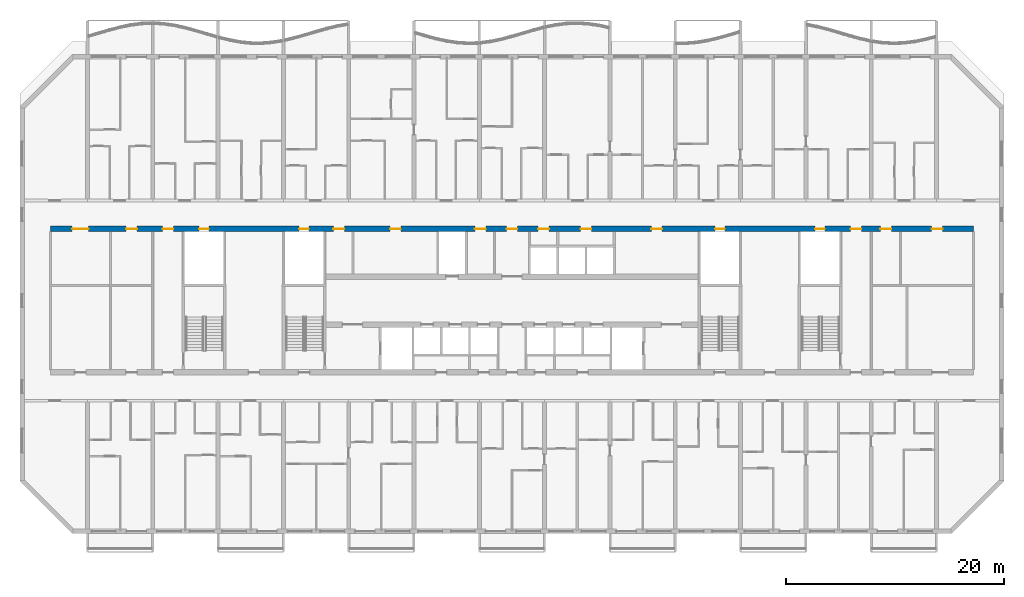
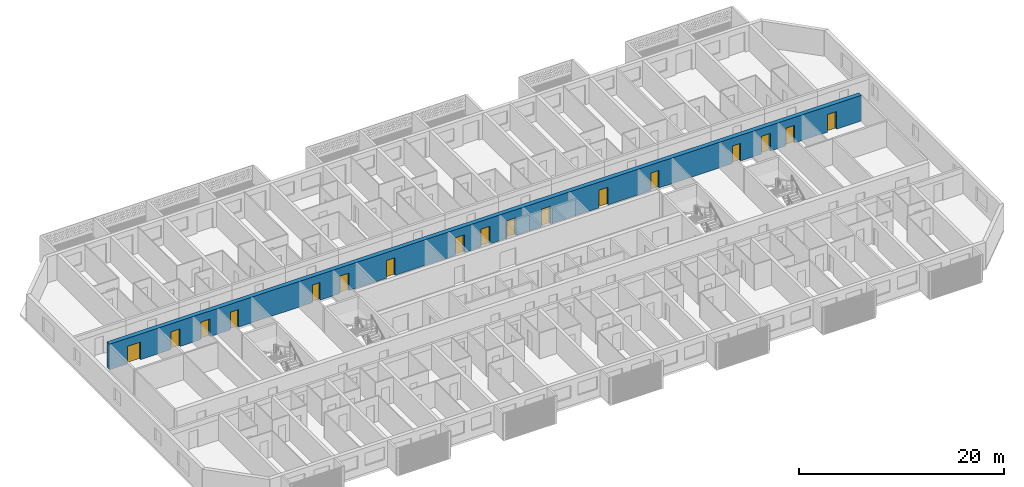
# One storey, part 9 of 28: 17 doors, 1 wall, 17 openings.
"""IFC4 building model written with IfcOpenShell, lengths in metres."""

from ifc_helpers import new_model, si_unit, direction, frame, frame_2d, origin, place, context, subcontext, project, spatial, rectangle, extrude, material, layer, layer_set, type_object, element, fill, save


model = new_model("IFC4")

# Units and contexts
model_context = context("Model", 3, precision=1e-05, world=origin(), true_north=direction((0.0, 1.0)))
body_context = subcontext(model_context, "Body", "Model", "MODEL_VIEW")
ifc_project = project(units=[si_unit("LENGTHUNIT", "METRE"), si_unit("AREAUNIT", "SQUARE_METRE"), si_unit("VOLUMEUNIT", "CUBIC_METRE"), si_unit("PLANEANGLEUNIT", "RADIAN"), si_unit("MASSUNIT", "GRAM", prefix="KILO")], contexts=[model_context])

# Site, building, storey
site_placement = place(None, origin())
site = spatial("IfcSite", under=ifc_project, at=site_placement, CompositionType="ELEMENT")
building_placement = place(site_placement, origin())
building = spatial("IfcBuilding", under=site, at=building_placement, Name="Poui Terraces", CompositionType="ELEMENT")
storey_placement = place(building_placement, frame((0.0, 0.0, 72.89990234375)))
storey = spatial("IfcBuildingStorey", under=building, at=storey_placement, Name="L19", CompositionType="ELEMENT", Elevation=72.89990234375)

# Wall, openings, doors
ifc_material_1 = material(Name="Concrete 65 MPa", Category="concrete")
ifc_layer = layer(ifc_material_1, 0.5)
ifc_layer_set = layer_set([ifc_layer], Name="Concrete 65 MPa")
wall_type = type_object("IfcWallType", Name="SPINE WALL 500 65 MPA", PredefinedType="SOLIDWALL", material=ifc_layer_set)
wall_placement = place(storey_placement, frame((8.60009765625, 27.800048828125, 0.0), z_axis=(0.0, 0.0, 1.0), x_axis=(1.0, 0.0, 0.0)))
wall = element("IfcWall", 1, at=wall_placement, inside=storey, type_object=wall_type, Name="SPINE WALL", PredefinedType="SOLIDWALL", context=body_context, shape_type="SweptSolid", body=[
    extrude(rectangle(XDim=84.7998046875, YDim=0.5, at=frame_2d((42.39990234375, 0.0))), origin(), (0.0, 0.0, 1.0), 3.06005859375),
])
opening_1_placement = place(wall_placement, frame((2.0, 0.0, 0.0)))
opening_1 = element("IfcOpeningElement", 2, at=opening_1_placement, cuts=wall, Name="Opening FDP", PredefinedType="OPENING", context=body_context, shape_type="SweptSolid", body=[
    extrude(rectangle(XDim=1.5, YDim=2.10009765625, at=frame_2d((0.75, 1.050048828125))), frame((0.0, 0.260009765625, 0.0), z_axis=(0.0, -1.0, 0.0), x_axis=(1.0, 0.0, 0.0)), (0.0, 0.0, 1.0), 0.52001953125),
])
opening_2_placement = place(wall_placement, frame((6.949951171875, 0.0, 0.0)))
opening_2 = element("IfcOpeningElement", 3, at=opening_2_placement, cuts=wall, Name="Opening D100", PredefinedType="OPENING", context=body_context, shape_type="SweptSolid", body=[
    extrude(rectangle(XDim=1.0, YDim=2.10009765625, at=frame_2d((0.5, 1.050048828125))), frame((0.0, 0.260009765625, 0.0), z_axis=(0.0, -1.0, 0.0), x_axis=(1.0, 0.0, 0.0)), (0.0, 0.0, 1.0), 0.52001953125),
])
opening_3_placement = place(wall_placement, frame((10.300048828125, 0.0, 0.0)))
opening_3 = element("IfcOpeningElement", 4, at=opening_3_placement, cuts=wall, Name="Opening FDL", PredefinedType="OPENING", context=body_context, shape_type="SweptSolid", body=[
    extrude(rectangle(XDim=1.0, YDim=2.10009765625, at=frame_2d((0.5, 1.050048828125))), frame((0.0, 0.260009765625, 0.0), z_axis=(0.0, -1.0, 0.0), x_axis=(1.0, 0.0, 0.0)), (0.0, 0.0, 1.0), 0.52001953125),
])
opening_4_placement = place(wall_placement, frame((13.64990234375, 0.0, 0.0)))
opening_4 = element("IfcOpeningElement", 5, at=opening_4_placement, cuts=wall, Name="Opening FDR", PredefinedType="OPENING", context=body_context, shape_type="SweptSolid", body=[
    extrude(rectangle(XDim=0.89990234375, YDim=2.10009765625, at=frame_2d((0.449951171875, 1.050048828125))), frame((0.0, 0.260009765625, 0.0), z_axis=(0.0, -1.0, 0.0), x_axis=(1.0, 0.0, 0.0)), (0.0, 0.0, 1.0), 0.52001953125),
])
opening_5_placement = place(wall_placement, frame((22.85009765625, 0.0, 0.0)))
opening_5 = element("IfcOpeningElement", 6, at=opening_5_placement, cuts=wall, Name="Opening FDR", PredefinedType="OPENING", context=body_context, shape_type="SweptSolid", body=[
    extrude(rectangle(XDim=0.89990234375, YDim=2.10009765625, at=frame_2d((0.449951171875, 1.050048828125))), frame((0.0, 0.260009765625, 0.0), z_axis=(0.0, -1.0, 0.0), x_axis=(1.0, 0.0, 0.0)), (0.0, 0.0, 1.0), 0.52001953125),
])
opening_6_placement = place(wall_placement, frame((26.0, 0.0, 0.0)))
opening_6 = element("IfcOpeningElement", 7, at=opening_6_placement, cuts=wall, Name="Opening FD60", PredefinedType="OPENING", context=body_context, shape_type="SweptSolid", body=[
    extrude(rectangle(XDim=1.0, YDim=2.10009765625, at=frame_2d((0.5, 1.050048828125))), frame((0.0, 0.260009765625, 0.0), z_axis=(0.0, -1.0, 0.0), x_axis=(1.0, 0.0, 0.0)), (0.0, 0.0, 1.0), 0.52001953125),
])
opening_7_placement = place(wall_placement, frame((31.199951171875, 0.0, 0.0)))
opening_7 = element("IfcOpeningElement", 8, at=opening_7_placement, cuts=wall, Name="Opening FD60", PredefinedType="OPENING", context=body_context, shape_type="SweptSolid", body=[
    extrude(rectangle(XDim=1.0, YDim=2.10009765625, at=frame_2d((0.5, 1.050048828125))), frame((0.0, 0.260009765625, 0.0), z_axis=(0.0, -1.0, 0.0), x_axis=(1.0, 0.0, 0.0)), (0.0, 0.0, 1.0), 0.52001953125),
])
opening_8_placement = place(wall_placement, frame((39.0, 0.0, 0.0)))
opening_8 = element("IfcOpeningElement", 9, at=opening_8_placement, cuts=wall, Name="Opening FD60", PredefinedType="OPENING", context=body_context, shape_type="SweptSolid", body=[
    extrude(rectangle(XDim=1.0, YDim=2.10009765625, at=frame_2d((0.5, 1.050048828125))), frame((0.0, 0.260009765625, 0.0), z_axis=(0.0, -1.0, 0.0), x_axis=(1.0, 0.0, 0.0)), (0.0, 0.0, 1.0), 0.52001953125),
])
opening_9_placement = place(wall_placement, frame((41.89990234375, 0.0, 0.0)))
opening_9 = element("IfcOpeningElement", 10, at=opening_9_placement, cuts=wall, Name="Opening FDL", PredefinedType="OPENING", context=body_context, shape_type="SweptSolid", body=[
    extrude(rectangle(XDim=1.0, YDim=2.10009765625, at=frame_2d((0.5, 1.050048828125))), frame((0.0, 0.260009765625, 0.0), z_axis=(0.0, -1.0, 0.0), x_axis=(1.0, 0.0, 0.0)), (0.0, 0.0, 1.0), 0.52001953125),
])
opening_10_placement = place(wall_placement, frame((44.800048828125, 0.0, 0.0)))
opening_10 = element("IfcOpeningElement", 11, at=opening_10_placement, cuts=wall, Name="Opening FD60", PredefinedType="OPENING", context=body_context, shape_type="SweptSolid", body=[
    extrude(rectangle(XDim=1.0, YDim=2.10009765625, at=frame_2d((0.5, 1.050048828125))), frame((0.0, 0.260009765625, 0.0), z_axis=(0.0, -1.0, 0.0), x_axis=(1.0, 0.0, 0.0)), (0.0, 0.0, 1.0), 0.52001953125),
])
opening_11_placement = place(wall_placement, frame((48.699951171875, 0.0, 0.0)))
opening_11 = element("IfcOpeningElement", 12, at=opening_11_placement, cuts=wall, Name="Opening FD60", PredefinedType="OPENING", context=body_context, shape_type="SweptSolid", body=[
    extrude(rectangle(XDim=1.0, YDim=2.10009765625, at=frame_2d((0.5, 1.050048828125))), frame((0.0, 0.260009765625, 0.0), z_axis=(0.0, -1.0, 0.0), x_axis=(1.0, 0.0, 0.0)), (0.0, 0.0, 1.0), 0.52001953125),
])
opening_12_placement = place(wall_placement, frame((55.199951171875, 0.0, 0.0)))
opening_12 = element("IfcOpeningElement", 13, at=opening_12_placement, cuts=wall, Name="Opening FD60", PredefinedType="OPENING", context=body_context, shape_type="SweptSolid", body=[
    extrude(rectangle(XDim=1.0, YDim=2.10009765625, at=frame_2d((0.5, 1.050048828125))), frame((0.0, 0.260009765625, 0.0), z_axis=(0.0, -1.0, 0.0), x_axis=(1.0, 0.0, 0.0)), (0.0, 0.0, 1.0), 0.52001953125),
])
opening_13_placement = place(wall_placement, frame((61.050048828125, 0.0, 0.0)))
opening_13 = element("IfcOpeningElement", 14, at=opening_13_placement, cuts=wall, Name="Opening FDR", PredefinedType="OPENING", context=body_context, shape_type="SweptSolid", body=[
    extrude(rectangle(XDim=0.89990234375, YDim=2.10009765625, at=frame_2d((0.449951171875, 1.050048828125))), frame((0.0, 0.260009765625, 0.0), z_axis=(0.0, -1.0, 0.0), x_axis=(1.0, 0.0, 0.0)), (0.0, 0.0, 1.0), 0.52001953125),
])
opening_14_placement = place(wall_placement, frame((70.25, 0.0, 0.0)))
opening_14 = element("IfcOpeningElement", 15, at=opening_14_placement, cuts=wall, Name="Opening FDR", PredefinedType="OPENING", context=body_context, shape_type="SweptSolid", body=[
    extrude(rectangle(XDim=0.89990234375, YDim=2.10009765625, at=frame_2d((0.449951171875, 1.050048828125))), frame((0.0, 0.260009765625, 0.0), z_axis=(0.0, -1.0, 0.0), x_axis=(1.0, 0.0, 0.0)), (0.0, 0.0, 1.0), 0.52001953125),
])
opening_15_placement = place(wall_placement, frame((73.5, 0.0, 0.0)))
opening_15 = element("IfcOpeningElement", 16, at=opening_15_placement, cuts=wall, Name="Opening FDL", PredefinedType="OPENING", context=body_context, shape_type="SweptSolid", body=[
    extrude(rectangle(XDim=1.0, YDim=2.10009765625, at=frame_2d((0.5, 1.050048828125))), frame((0.0, 0.260009765625, 0.0), z_axis=(0.0, -1.0, 0.0), x_axis=(1.0, 0.0, 0.0)), (0.0, 0.0, 1.0), 0.52001953125),
])
opening_16_placement = place(wall_placement, frame((76.25, 0.0, 0.0)))
opening_16 = element("IfcOpeningElement", 17, at=opening_16_placement, cuts=wall, Name="Opening FD60", PredefinedType="OPENING", context=body_context, shape_type="SweptSolid", body=[
    extrude(rectangle(XDim=1.0, YDim=2.10009765625, at=frame_2d((0.5, 1.050048828125))), frame((0.0, 0.260009765625, 0.0), z_axis=(0.0, -1.0, 0.0), x_axis=(1.0, 0.0, 0.0)), (0.0, 0.0, 1.0), 0.52001953125),
])
opening_17_placement = place(wall_placement, frame((80.949951171875, 0.0, 0.0)))
opening_17 = element("IfcOpeningElement", 18, at=opening_17_placement, cuts=wall, Name="Opening FD60", PredefinedType="OPENING", context=body_context, shape_type="SweptSolid", body=[
    extrude(rectangle(XDim=1.0, YDim=2.10009765625, at=frame_2d((0.5, 1.050048828125))), frame((0.0, 0.260009765625, 0.0), z_axis=(0.0, -1.0, 0.0), x_axis=(1.0, 0.0, 0.0)), (0.0, 0.0, 1.0), 0.52001953125),
])
ifc_material_2 = material(Name="Solid core timber door", Category="wood")
door_type_1 = type_object("IfcDoorType", Name="ACCESSIBLE INTERNAL DOOR 1000 X 2100", OperationType="NOTDEFINED", PredefinedType="DOOR", material=ifc_material_2)
door_1_placement = place(opening_2_placement, origin())
door_1 = element("IfcDoor", 19, at=door_1_placement, inside=storey, type_object=door_type_1, Name="ACCESSIBLE INTERNAL DOOR 002", OperationType="SINGLE_SWING_RIGHT", OverallHeight=2.10009765625, OverallWidth=1.0, PredefinedType="DOOR", context=body_context, shape_type="SweptSolid", body=[
    extrude(rectangle(XDim=1.0, YDim=2.10009765625, at=frame_2d((0.5, 1.050048828125))), frame((0.0, 0.02490234375, 0.0), z_axis=(0.0, -1.0, 0.0), x_axis=(1.0, 0.0, 0.0)), (0.0, 0.0, 1.0), 0.050048828125),
])
fill(opening_2, door_1)
ifc_material_3 = material(Name="Steel fire door", Category="steel")
door_type_2 = type_object("IfcDoorType", Name="LOBBY FIRE DOOR 1000 X 2100", OperationType="NOTDEFINED", PredefinedType="DOOR", material=ifc_material_3)
door_2_placement = place(opening_3_placement, origin())
door_2 = element("IfcDoor", 20, at=door_2_placement, inside=storey, type_object=door_type_2, Name="LOBBY FIRE DOOR 003", OperationType="SINGLE_SWING_LEFT", OverallHeight=2.10009765625, OverallWidth=1.0, PredefinedType="DOOR", context=body_context, shape_type="SweptSolid", body=[
    extrude(rectangle(XDim=1.0, YDim=2.10009765625, at=frame_2d((0.5, 1.050048828125))), frame((0.0, 0.02490234375, 0.0), z_axis=(0.0, -1.0, 0.0), x_axis=(1.0, 0.0, 0.0)), (0.0, 0.0, 1.0), 0.050048828125),
])
fill(opening_3, door_2)
door_3_placement = place(opening_9_placement, origin())
door_3 = element("IfcDoor", 21, at=door_3_placement, inside=storey, type_object=door_type_2, Name="LOBBY FIRE DOOR 009", OperationType="SINGLE_SWING_RIGHT", OverallHeight=2.10009765625, OverallWidth=1.0, PredefinedType="DOOR", context=body_context, shape_type="SweptSolid", body=[
    extrude(rectangle(XDim=1.0, YDim=2.10009765625, at=frame_2d((0.5, 1.050048828125))), frame((0.0, 0.02490234375, 0.0), z_axis=(0.0, -1.0, 0.0), x_axis=(1.0, 0.0, 0.0)), (0.0, 0.0, 1.0), 0.050048828125),
])
fill(opening_9, door_3)
door_4_placement = place(opening_15_placement, origin())
door_4 = element("IfcDoor", 22, at=door_4_placement, inside=storey, type_object=door_type_2, Name="LOBBY FIRE DOOR 015", OperationType="SINGLE_SWING_RIGHT", OverallHeight=2.10009765625, OverallWidth=1.0, PredefinedType="DOOR", context=body_context, shape_type="SweptSolid", body=[
    extrude(rectangle(XDim=1.0, YDim=2.10009765625, at=frame_2d((0.5, 1.050048828125))), frame((0.0, 0.02490234375, 0.0), z_axis=(0.0, -1.0, 0.0), x_axis=(1.0, 0.0, 0.0)), (0.0, 0.0, 1.0), 0.050048828125),
])
fill(opening_15, door_4)
door_type_3 = type_object("IfcDoorType", Name="PLANT ROOM DOOR PAIR 1500 X 2100", OperationType="DOUBLE_DOOR_SINGLE_SWING", PredefinedType="DOOR", material=ifc_material_3)
door_5_placement = place(opening_1_placement, origin())
door_5 = element("IfcDoor", 23, at=door_5_placement, inside=storey, type_object=door_type_3, Name="PLANT ROOM DOOR PAIR 001", OperationType="DOUBLE_DOOR_SINGLE_SWING", OverallHeight=2.10009765625, OverallWidth=1.5, PredefinedType="DOOR", context=body_context, shape_type="SweptSolid", body=[
    extrude(rectangle(XDim=1.5, YDim=2.10009765625, at=frame_2d((0.75, 1.050048828125))), frame((0.0, 0.02490234375, 0.0), z_axis=(0.0, -1.0, 0.0), x_axis=(1.0, 0.0, 0.0)), (0.0, 0.0, 1.0), 0.050048828125),
])
fill(opening_1, door_5)
door_type_4 = type_object("IfcDoorType", Name="RISER CUPBOARD DOOR 900 X 2100", OperationType="NOTDEFINED", PredefinedType="DOOR", material=ifc_material_3)
door_6_placement = place(opening_4_placement, origin())
door_6 = element("IfcDoor", 24, at=door_6_placement, inside=storey, type_object=door_type_4, Name="RISER CUPBOARD DOOR 004", OperationType="SINGLE_SWING_LEFT", OverallHeight=2.10009765625, OverallWidth=0.89990234375, PredefinedType="DOOR", context=body_context, shape_type="SweptSolid", body=[
    extrude(rectangle(XDim=0.89990234375, YDim=2.10009765625, at=frame_2d((0.449951171875, 1.050048828125))), frame((0.0, 0.02490234375, 0.0), z_axis=(0.0, -1.0, 0.0), x_axis=(1.0, 0.0, 0.0)), (0.0, 0.0, 1.0), 0.050048828125),
])
fill(opening_4, door_6)
door_7_placement = place(opening_5_placement, origin())
door_7 = element("IfcDoor", 25, at=door_7_placement, inside=storey, type_object=door_type_4, Name="RISER CUPBOARD DOOR 005", OperationType="SINGLE_SWING_LEFT", OverallHeight=2.10009765625, OverallWidth=0.89990234375, PredefinedType="DOOR", context=body_context, shape_type="SweptSolid", body=[
    extrude(rectangle(XDim=0.89990234375, YDim=2.10009765625, at=frame_2d((0.449951171875, 1.050048828125))), frame((0.0, 0.02490234375, 0.0), z_axis=(0.0, -1.0, 0.0), x_axis=(1.0, 0.0, 0.0)), (0.0, 0.0, 1.0), 0.050048828125),
])
fill(opening_5, door_7)
door_8_placement = place(opening_13_placement, origin())
door_8 = element("IfcDoor", 26, at=door_8_placement, inside=storey, type_object=door_type_4, Name="RISER CUPBOARD DOOR 013", OperationType="SINGLE_SWING_RIGHT", OverallHeight=2.10009765625, OverallWidth=0.89990234375, PredefinedType="DOOR", context=body_context, shape_type="SweptSolid", body=[
    extrude(rectangle(XDim=0.89990234375, YDim=2.10009765625, at=frame_2d((0.449951171875, 1.050048828125))), frame((0.0, 0.02490234375, 0.0), z_axis=(0.0, -1.0, 0.0), x_axis=(1.0, 0.0, 0.0)), (0.0, 0.0, 1.0), 0.050048828125),
])
fill(opening_13, door_8)
door_9_placement = place(opening_14_placement, origin())
door_9 = element("IfcDoor", 27, at=door_9_placement, inside=storey, type_object=door_type_4, Name="RISER CUPBOARD DOOR 014", OperationType="SINGLE_SWING_RIGHT", OverallHeight=2.10009765625, OverallWidth=0.89990234375, PredefinedType="DOOR", context=body_context, shape_type="SweptSolid", body=[
    extrude(rectangle(XDim=0.89990234375, YDim=2.10009765625, at=frame_2d((0.449951171875, 1.050048828125))), frame((0.0, 0.02490234375, 0.0), z_axis=(0.0, -1.0, 0.0), x_axis=(1.0, 0.0, 0.0)), (0.0, 0.0, 1.0), 0.050048828125),
])
fill(opening_14, door_9)
door_type_5 = type_object("IfcDoorType", Name="SERVICE ROOM FIRE DOOR 1000 X 2100", OperationType="NOTDEFINED", PredefinedType="DOOR", material=ifc_material_3)
door_10_placement = place(opening_6_placement, origin())
door_10 = element("IfcDoor", 28, at=door_10_placement, inside=storey, type_object=door_type_5, Name="SERVICE ROOM FIRE DOOR 006", OperationType="SINGLE_SWING_LEFT", OverallHeight=2.10009765625, OverallWidth=1.0, PredefinedType="DOOR", context=body_context, shape_type="SweptSolid", body=[
    extrude(rectangle(XDim=1.0, YDim=2.10009765625, at=frame_2d((0.5, 1.050048828125))), frame((0.0, 0.02490234375, 0.0), z_axis=(0.0, -1.0, 0.0), x_axis=(1.0, 0.0, 0.0)), (0.0, 0.0, 1.0), 0.050048828125),
])
fill(opening_6, door_10)
door_11_placement = place(opening_7_placement, origin())
door_11 = element("IfcDoor", 29, at=door_11_placement, inside=storey, type_object=door_type_5, Name="SERVICE ROOM FIRE DOOR 007", OperationType="SINGLE_SWING_RIGHT", OverallHeight=2.10009765625, OverallWidth=1.0, PredefinedType="DOOR", context=body_context, shape_type="SweptSolid", body=[
    extrude(rectangle(XDim=1.0, YDim=2.10009765625, at=frame_2d((0.5, 1.050048828125))), frame((0.0, 0.02490234375, 0.0), z_axis=(0.0, -1.0, 0.0), x_axis=(1.0, 0.0, 0.0)), (0.0, 0.0, 1.0), 0.050048828125),
])
fill(opening_7, door_11)
door_12_placement = place(opening_8_placement, origin())
door_12 = element("IfcDoor", 30, at=door_12_placement, inside=storey, type_object=door_type_5, Name="SERVICE ROOM FIRE DOOR 008", OperationType="SINGLE_SWING_LEFT", OverallHeight=2.10009765625, OverallWidth=1.0, PredefinedType="DOOR", context=body_context, shape_type="SweptSolid", body=[
    extrude(rectangle(XDim=1.0, YDim=2.10009765625, at=frame_2d((0.5, 1.050048828125))), frame((0.0, 0.02490234375, 0.0), z_axis=(0.0, -1.0, 0.0), x_axis=(1.0, 0.0, 0.0)), (0.0, 0.0, 1.0), 0.050048828125),
])
fill(opening_8, door_12)
door_13_placement = place(opening_10_placement, origin())
door_13 = element("IfcDoor", 31, at=door_13_placement, inside=storey, type_object=door_type_5, Name="SERVICE ROOM FIRE DOOR 010", OperationType="SINGLE_SWING_RIGHT", OverallHeight=2.10009765625, OverallWidth=1.0, PredefinedType="DOOR", context=body_context, shape_type="SweptSolid", body=[
    extrude(rectangle(XDim=1.0, YDim=2.10009765625, at=frame_2d((0.5, 1.050048828125))), frame((0.0, 0.02490234375, 0.0), z_axis=(0.0, -1.0, 0.0), x_axis=(1.0, 0.0, 0.0)), (0.0, 0.0, 1.0), 0.050048828125),
])
fill(opening_10, door_13)
door_14_placement = place(opening_11_placement, origin())
door_14 = element("IfcDoor", 32, at=door_14_placement, inside=storey, type_object=door_type_5, Name="SERVICE ROOM FIRE DOOR 011", OperationType="SINGLE_SWING_LEFT", OverallHeight=2.10009765625, OverallWidth=1.0, PredefinedType="DOOR", context=body_context, shape_type="SweptSolid", body=[
    extrude(rectangle(XDim=1.0, YDim=2.10009765625, at=frame_2d((0.5, 1.050048828125))), frame((0.0, 0.02490234375, 0.0), z_axis=(0.0, -1.0, 0.0), x_axis=(1.0, 0.0, 0.0)), (0.0, 0.0, 1.0), 0.050048828125),
])
fill(opening_11, door_14)
door_15_placement = place(opening_12_placement, origin())
door_15 = element("IfcDoor", 33, at=door_15_placement, inside=storey, type_object=door_type_5, Name="SERVICE ROOM FIRE DOOR 012", OperationType="SINGLE_SWING_RIGHT", OverallHeight=2.10009765625, OverallWidth=1.0, PredefinedType="DOOR", context=body_context, shape_type="SweptSolid", body=[
    extrude(rectangle(XDim=1.0, YDim=2.10009765625, at=frame_2d((0.5, 1.050048828125))), frame((0.0, 0.02490234375, 0.0), z_axis=(0.0, -1.0, 0.0), x_axis=(1.0, 0.0, 0.0)), (0.0, 0.0, 1.0), 0.050048828125),
])
fill(opening_12, door_15)
door_16_placement = place(opening_16_placement, origin())
door_16 = element("IfcDoor", 34, at=door_16_placement, inside=storey, type_object=door_type_5, Name="SERVICE ROOM FIRE DOOR 016", OperationType="SINGLE_SWING_LEFT", OverallHeight=2.10009765625, OverallWidth=1.0, PredefinedType="DOOR", context=body_context, shape_type="SweptSolid", body=[
    extrude(rectangle(XDim=1.0, YDim=2.10009765625, at=frame_2d((0.5, 1.050048828125))), frame((0.0, 0.02490234375, 0.0), z_axis=(0.0, -1.0, 0.0), x_axis=(1.0, 0.0, 0.0)), (0.0, 0.0, 1.0), 0.050048828125),
])
fill(opening_16, door_16)
door_17_placement = place(opening_17_placement, origin())
door_17 = element("IfcDoor", 35, at=door_17_placement, inside=storey, type_object=door_type_5, Name="SERVICE ROOM FIRE DOOR 017", OperationType="SINGLE_SWING_RIGHT", OverallHeight=2.10009765625, OverallWidth=1.0, PredefinedType="DOOR", context=body_context, shape_type="SweptSolid", body=[
    extrude(rectangle(XDim=1.0, YDim=2.10009765625, at=frame_2d((0.5, 1.050048828125))), frame((0.0, 0.02490234375, 0.0), z_axis=(0.0, -1.0, 0.0), x_axis=(1.0, 0.0, 0.0)), (0.0, 0.0, 1.0), 0.050048828125),
])
fill(opening_17, door_17)

save(model, "model.ifc")
